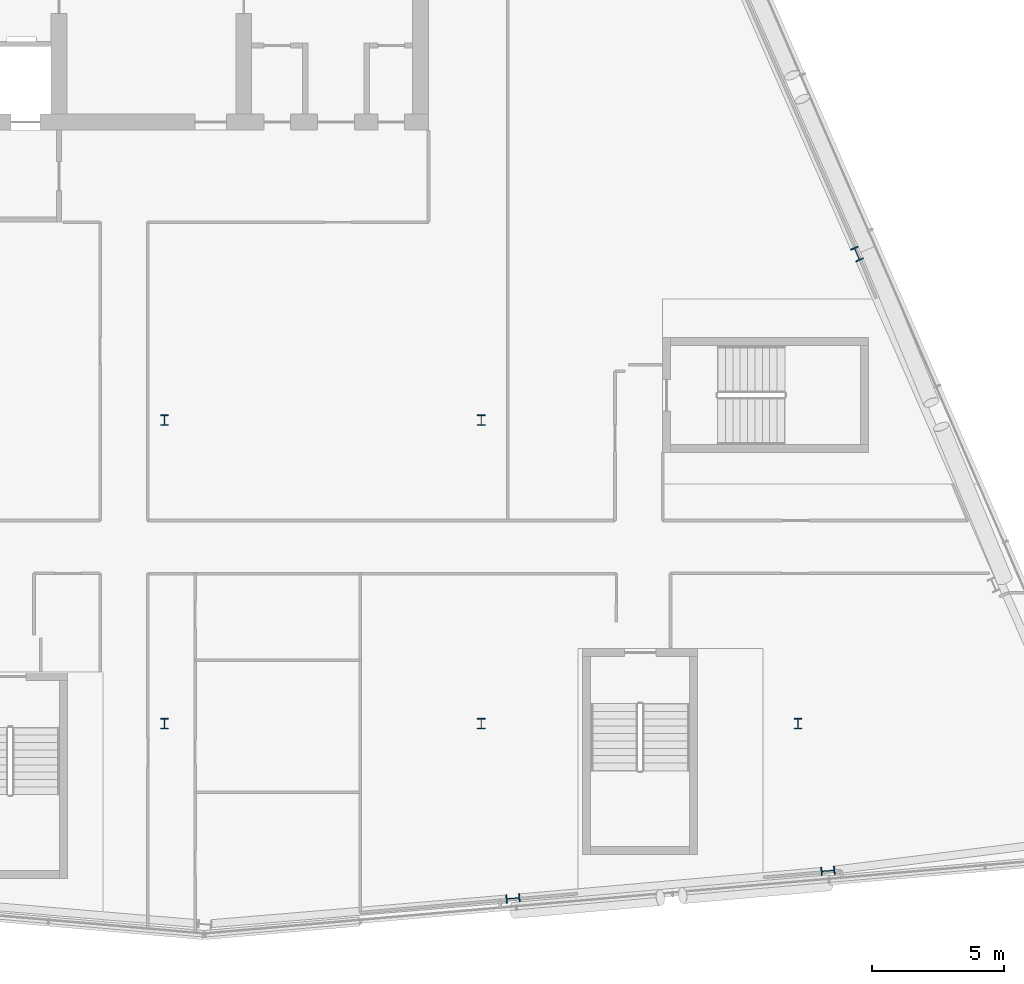
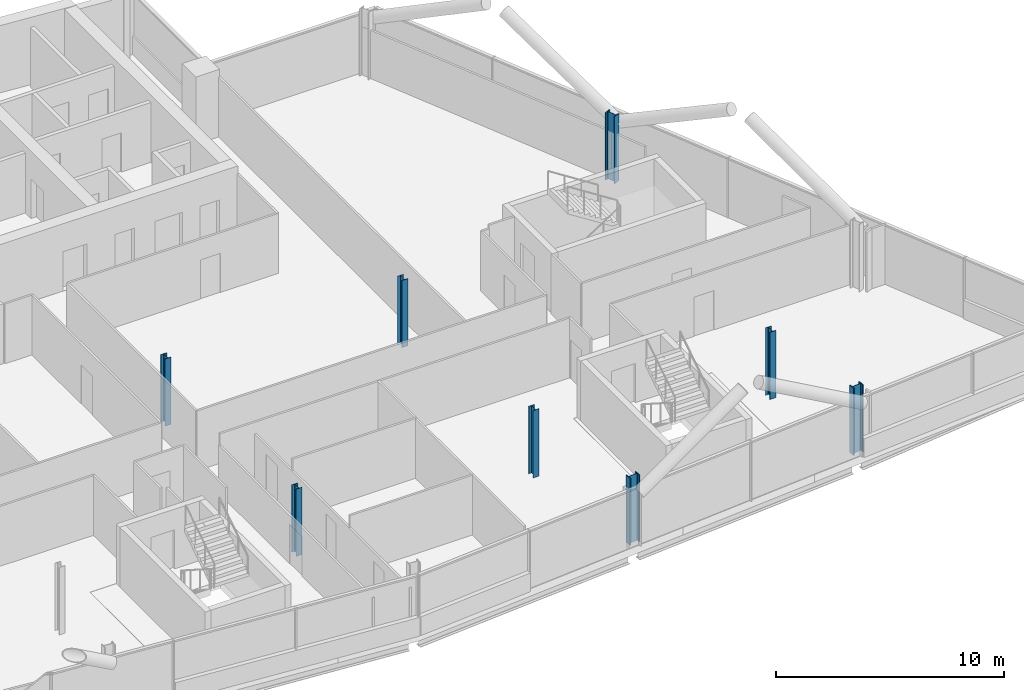
# One storey, part 2 of 26: 8 columns.
"""IFC4 building model written with IfcOpenShell, lengths in metres."""

from ifc_helpers import new_model, si_unit, direction, frame, origin, origin_2d, place, context, subcontext, project, spatial, i_section, extrude, material, material_profile, profile_set, type_object, element, save


model = new_model("IFC4")

# Units and contexts
model_context = context("Model", 3, precision=1e-05, world=origin(), true_north=direction((0.0, 1.0)))
body_context = subcontext(model_context, "Body", "Model", "MODEL_VIEW")
ifc_project = project(units=[si_unit("LENGTHUNIT", "METRE"), si_unit("AREAUNIT", "SQUARE_METRE"), si_unit("VOLUMEUNIT", "CUBIC_METRE"), si_unit("PLANEANGLEUNIT", "RADIAN"), si_unit("MASSUNIT", "GRAM", prefix="KILO")], contexts=[model_context])

# Site, building, storey
site_placement = place(None, origin())
site = spatial("IfcSite", under=ifc_project, at=site_placement, CompositionType="ELEMENT")
building_placement = place(site_placement, origin())
building = spatial("IfcBuilding", under=site, at=building_placement, Name="Wharfspan Tower", CompositionType="ELEMENT")
storey_placement = place(building_placement, frame((0.0, 0.0, 217.899902)))
storey = spatial("IfcBuildingStorey", under=building, at=storey_placement, Name="L54", CompositionType="ELEMENT", Elevation=217.899902)

# Columns
ifc_material = material(Name="Steel S355J2", Category="steel")
ifc_material_profile_1 = material_profile(ifc_material, i_section(OverallWidth=0.300049, OverallDepth=0.399902, WebThickness=0.013428, FlangeThickness=0.023926, FilletRadius=0.0271, at=origin_2d()))
ifc_profile_set_1 = profile_set([ifc_material_profile_1], Name="Steel S355J2")
column_type_1 = type_object("IfcColumnType", Name="Column HEB 400", PredefinedType="COLUMN", material=ifc_profile_set_1)
for number, where, z_axis, x_axis, name in (
    (1, (48.0, 11.5, 0.0), (0.0, 0.0, 1.0), (1.0, 0.0, 0.0), "Interior column I.1.3 L54"),
    (2, (60.0, 11.5, 0.0), (0.0, 0.0, 1.0), (1.0, 0.0, 0.0), "Interior column I.1.4 L54"),
    (3, (72.0, 11.5, 0.0), (0.0, 0.0, 1.0), (1.0, 0.0, 0.0), "Interior column I.1.5 L54"),
    (4, (48.0, 23.0, 0.0), (0.0, 0.0, 1.0), (1.0, 0.0, 0.0), "Interior column I.2.3 L54"),
    (5, (60.0, 23.0, 0.0), (0.0, 0.0, 1.0), (1.0, 0.0, 0.0), "Interior column I.2.4 L54"),
):
    element("IfcColumn", number, at=place(storey_placement, frame(where, z_axis=z_axis, x_axis=x_axis)), inside=storey, type_object=column_type_1, Name=name, PredefinedType="COLUMN", context=body_context, shape_type="SweptSolid", body=[
        extrude(i_section(OverallWidth=0.300049, OverallDepth=0.399902, WebThickness=0.013428, FlangeThickness=0.023926, FilletRadius=0.0271, at=origin_2d()), origin(), (0.0, 0.0, 1.0), 3.600098),
    ])
ifc_material_profile_2 = material_profile(ifc_material, i_section(OverallWidth=0.305908, OverallDepth=0.523926, WebThickness=0.020996, FlangeThickness=0.040039, FilletRadius=0.0271, at=origin_2d()))
ifc_profile_set_2 = profile_set([ifc_material_profile_2], Name="Steel S355J2")
column_type_2 = type_object("IfcColumnType", Name="Column HEM 500", PredefinedType="COLUMN", material=ifc_profile_set_2)
for number, where, z_axis, x_axis, name in (
    (6, (61.202393, 4.879395, 0.0), (0.0, 0.0, 1.0), (0.087156, -0.996197, 0.0), "Perimeter column PS2.1 L54"),
    (7, (73.135254, 5.92334, 0.0), (0.0, 0.0, 1.0), (0.087156, -0.996197, 0.0), "Perimeter column PS2.2 L54"),
    (8, (74.235352, 29.294922, 0.0), (0.0, 0.0, 1.0), (0.917072, 0.398727, 0.0), "Perimeter column PE.2 L54"),
):
    element("IfcColumn", number, at=place(storey_placement, frame(where, z_axis=z_axis, x_axis=x_axis)), inside=storey, type_object=column_type_2, Name=name, PredefinedType="COLUMN", context=body_context, shape_type="SweptSolid", body=[
        extrude(i_section(OverallWidth=0.305908, OverallDepth=0.523926, WebThickness=0.020996, FlangeThickness=0.040039, FilletRadius=0.0271, at=origin_2d()), origin(), (0.0, 0.0, 1.0), 3.600098),
    ])

save(model, "model.ifc")
